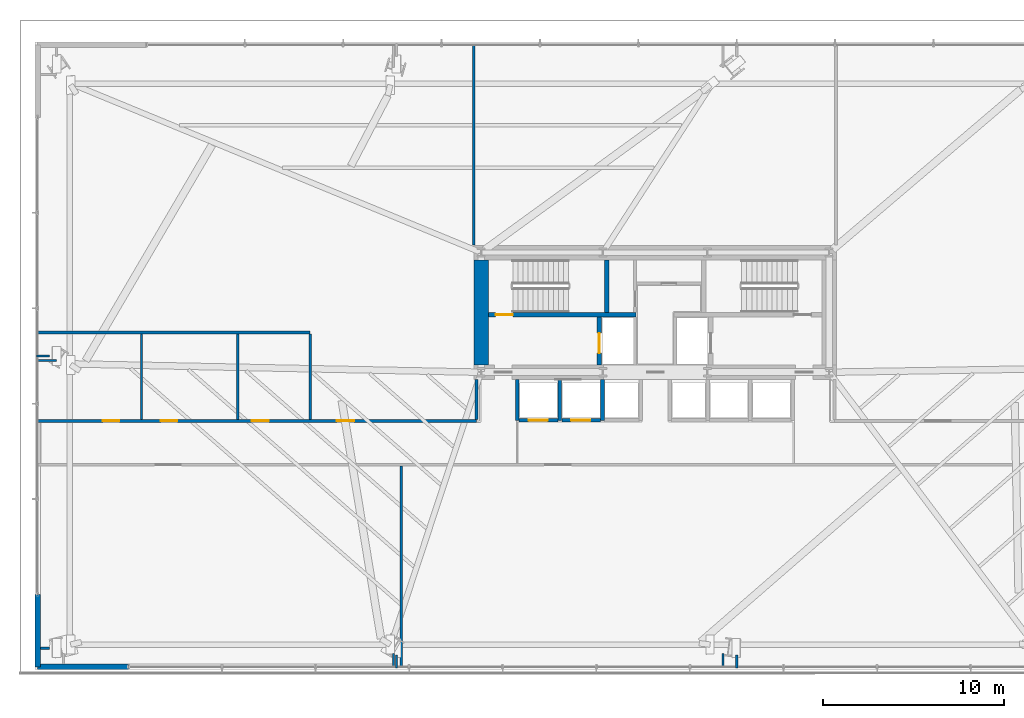
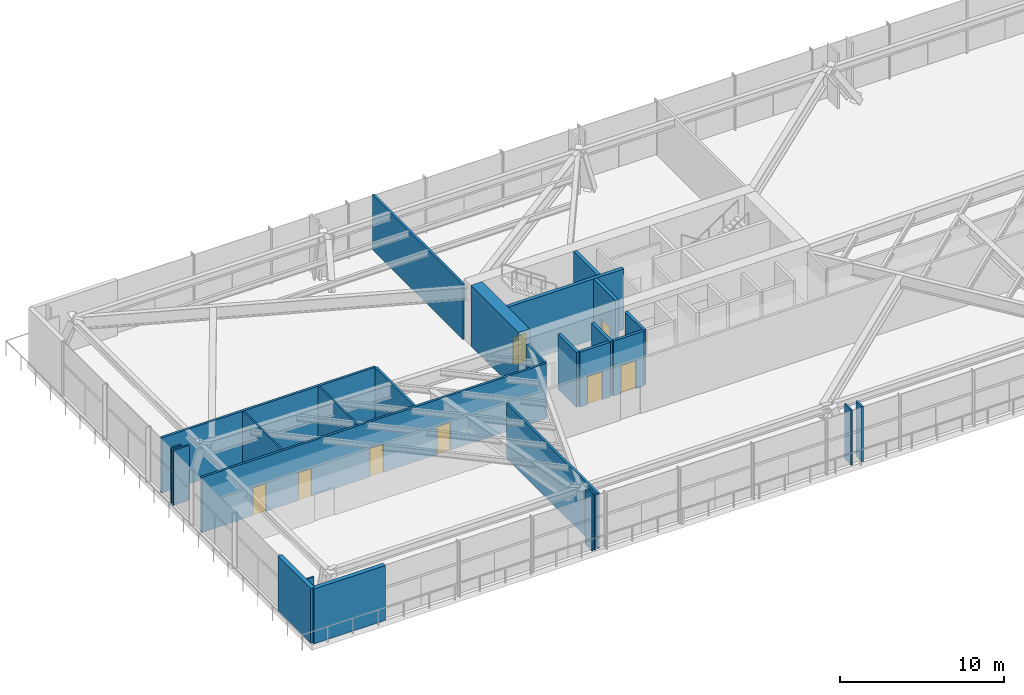
# One storey, part 25 of 36: 26 walls, 8 doors, 8 openings.
"""IFC4 building model written with IfcOpenShell, lengths in metres."""

import ifcopenshell
import ifcopenshell.guid

model = None  # the IFC model being written
_history = None  # IfcOwnerHistory: only IFC2X3 demands one
_inside = {}  # id of a spatial element -> (the spatial element, [elements in it])
_under = {}  # id of a project, library or spatial element -> (it, [spatial elements below it])
_declared = {}  # id of a project -> (the project, [libraries it declares])
_typed = {}  # id of a type object -> (the type object, [elements of that type])
_made_of = {}  # id of a material, layer set ... -> (it, [elements and type objects made of it])


def new_model(schema):
    """Start an empty IFC model of exactly this schema.

    Asked for "IFC4X3", IfcOpenShell would pick the latest addendum, in which some entities
    have other attributes; the version numbers below select the first issue.
    IFC2X3 requires an IfcOwnerHistory on every rooted entity: one is made here for all.
    """
    global model, _history
    if schema == "IFC4X3":
        model = ifcopenshell.file(schema_version=(4, 3, 0, 0))
    else:
        model = ifcopenshell.file(schema=schema)
    _inside.clear()
    _under.clear()
    _declared.clear()
    _typed.clear()
    _made_of.clear()
    _history = None
    if model.schema == "IFC2X3":
        org = make("IfcOrganization", Name="unknown")
        user = make(
            "IfcPersonAndOrganization",
            ThePerson=make("IfcPerson", FamilyName="unknown"),
            TheOrganization=org,
        )
        app = make(
            "IfcApplication",
            ApplicationDeveloper=org,
            Version="unknown",
            ApplicationFullName="unknown",
            ApplicationIdentifier="unknown",
        )
        _history = make(
            "IfcOwnerHistory",
            OwningUser=user,
            OwningApplication=app,
            ChangeAction="ADDED",
            CreationDate=0,
        )
    return model


def make(cls, **values):
    """One entity of the class cls with the attributes given. An attribute that is None is left unset."""
    return model.create_entity(
        cls, **{name: value for name, value in values.items() if value is not None}
    )


def rooted(cls, **values):
    """An entity with a GlobalId (a new one), such as an element, a storey or a relation."""
    return make(cls, GlobalId=ifcopenshell.guid.new(), OwnerHistory=_history, **values)


def si_unit(unit_type, name, prefix=None):
    """IfcSIUnit, for example si_unit("LENGTHUNIT", "METRE", prefix="MILLI")."""
    return make("IfcSIUnit", UnitType=unit_type, Prefix=prefix, Name=name)


def assignment(units):
    """IfcUnitAssignment: the units of a project."""
    return None if units is None else make("IfcUnitAssignment", Units=units)


def point(xyz):
    """IfcCartesianPoint."""
    return None if xyz is None else make("IfcCartesianPoint", Coordinates=xyz)


def direction(xyz):
    """IfcDirection."""
    return None if xyz is None else make("IfcDirection", DirectionRatios=xyz)


def frame(location, z_axis=None, x_axis=None):
    """IfcAxis2Placement3D, a coordinate frame: its origin and axes. An axis left out is left unset."""
    return make(
        "IfcAxis2Placement3D",
        Location=point(location),
        Axis=direction(z_axis),
        RefDirection=direction(x_axis),
    )


def frame_2d(location, x_axis=None):
    """IfcAxis2Placement2D, a coordinate frame in the plane: its origin and x axis."""
    return make(
        "IfcAxis2Placement2D", Location=point(location), RefDirection=direction(x_axis)
    )


def origin():
    """The frame at (0, 0, 0) with its axes left unset."""
    return frame((0.0, 0.0, 0.0))


def place(relative_to, where):
    """IfcLocalPlacement: puts the frame where relative to a parent placement (None: the world)."""
    return make(
        "IfcLocalPlacement", PlacementRelTo=relative_to, RelativePlacement=where
    )


def context(
    kind, dimensions, precision=None, world=None, true_north=None, identifier=None
):
    """IfcGeometricRepresentationContext, for example the 3D "Model" context."""
    return make(
        "IfcGeometricRepresentationContext",
        ContextIdentifier=identifier,
        ContextType=kind,
        CoordinateSpaceDimension=dimensions,
        Precision=precision,
        WorldCoordinateSystem=world,
        TrueNorth=true_north,
    )


def subcontext(parent, identifier, kind, view, scale=None):
    """IfcGeometricRepresentationSubContext, for example "Body" below "Model"."""
    return make(
        "IfcGeometricRepresentationSubContext",
        ContextIdentifier=identifier,
        ContextType=kind,
        ParentContext=parent,
        TargetScale=scale,
        TargetView=view,
    )


def project(units=None, contexts=None):
    """IfcProject with its units and contexts."""
    return rooted(
        "IfcProject",
        Name="project",
        RepresentationContexts=contexts,
        UnitsInContext=assignment(units),
    )


def spatial(cls, under=None, at=None, **own):
    """A site, building, storey or space (cls), placed at a placement, below another one or the project."""
    s = rooted(cls, ObjectPlacement=at, **own)
    if under is not None:
        _under.setdefault(under.id(), (under, []))[1].append(s)
    return s


def profile(cls, at=None, kind="AREA", **sizes):
    """A parametric profile (cls). Its sizes go by their IFC names, for example OverallWidth=200.0."""
    return make(cls, ProfileType=kind, Position=at, **sizes)


def rectangle(**sizes):
    """IfcRectangleProfileDef."""
    return profile("IfcRectangleProfileDef", **sizes)


def extrude(swept, where, along, depth):
    """IfcExtrudedAreaSolid: the profile swept, set in the frame where, extruded along a direction by depth."""
    return make(
        "IfcExtrudedAreaSolid",
        SweptArea=swept,
        Position=where,
        ExtrudedDirection=direction(along),
        Depth=depth,
    )


def shape(context_of_items, identifier, shape_type, items):
    """IfcShapeRepresentation: the items that make up one representation, for example the "Body"."""
    return make(
        "IfcShapeRepresentation",
        ContextOfItems=context_of_items,
        RepresentationIdentifier=identifier,
        RepresentationType=shape_type,
        Items=items,
    )


def source(mapping_origin, context_of_items, identifier, shape_type, items):
    """IfcRepresentationMap: a shape defined once, which mapped items show again and again."""
    return make(
        "IfcRepresentationMap",
        MappingOrigin=mapping_origin,
        MappedRepresentation=shape(context_of_items, identifier, shape_type, items),
    )


def transform(
    local_origin,
    x_axis=None,
    y_axis=None,
    z_axis=None,
    scale=None,
    scale2=None,
    scale3=None,
    uniform=True,
):
    """IfcCartesianTransformationOperator3D, or its non-uniform kind. x_axis, y_axis, z_axis: its Axis1, 2, 3."""
    if uniform:
        return make(
            "IfcCartesianTransformationOperator3D",
            Axis1=direction(x_axis),
            Axis2=direction(y_axis),
            LocalOrigin=point(local_origin),
            Scale=scale,
            Axis3=direction(z_axis),
        )
    return make(
        "IfcCartesianTransformationOperator3DnonUniform",
        Axis1=direction(x_axis),
        Axis2=direction(y_axis),
        LocalOrigin=point(local_origin),
        Scale=scale,
        Axis3=direction(z_axis),
        Scale2=scale2,
        Scale3=scale3,
    )


def mapped(mapping_source, mapping_target):
    """IfcMappedItem: shows the shape of a source again, moved by a transform."""
    return make(
        "IfcMappedItem", MappingSource=mapping_source, MappingTarget=mapping_target
    )


def material(Name=None, Category=None):
    """IfcMaterial."""
    return make("IfcMaterial", Name=Name, Category=Category)


def layer(
    of_material, thickness, ventilated=None, Name=None, Category=None, Priority=None
):
    """IfcMaterialLayer: one layer of a wall or slab, of a material (None: an air gap)."""
    return make(
        "IfcMaterialLayer",
        Material=of_material,
        LayerThickness=thickness,
        IsVentilated=ventilated,
        Name=Name,
        Category=Category,
        Priority=Priority,
    )


def layer_set(layers, Name=None):
    """IfcMaterialLayerSet."""
    return make("IfcMaterialLayerSet", MaterialLayers=layers, LayerSetName=Name)


def made_of(thing, what):
    """Note that an element or type object is made of a material, layer set ...; save() writes the relation."""
    if what is not None:
        _made_of.setdefault(what.id(), (what, []))[1].append(thing)
    return thing


def type_object(cls, material=None, **own):
    """A type object (cls), such as IfcWallType, which elements share."""
    return made_of(rooted(cls, **own), material)


def type_shapes(of_type, sources):
    """Give a type object the sources (RepresentationMaps) that its elements show as mapped items."""
    of_type.RepresentationMaps = sources


def element(
    cls,
    number,
    at=None,
    inside=None,
    cuts=None,
    type_object=None,
    material=None,
    context=None,
    identifier="Body",
    shape_type=None,
    held_by="IfcProductDefinitionShape",
    body=None,
    shapes=None,
    **own,
):
    """One element of the class cls, such as IfcWall. Its Tag is "e" and its number.

    at: its placement. inside: the storey or other place that contains it. cuts: it is an
    opening in that element (IfcRelVoidsElement). A single representation is given by context,
    identifier, shape_type and body (its items); several are given by shapes. held_by: the class
    of the entity that holds the representations. save() writes the other relations.
    """
    e = rooted(cls, Tag="e%d" % number, ObjectPlacement=at, **own)
    if body is not None:
        shapes = [shape(context, identifier, shape_type, body)]
    if shapes is not None:
        e.Representation = make(held_by, Representations=shapes)
    if inside is not None:
        _inside.setdefault(inside.id(), (inside, []))[1].append(e)
    if cuts is not None:
        rooted(
            "IfcRelVoidsElement", RelatingBuildingElement=cuts, RelatedOpeningElement=e
        )
    if type_object is not None:
        _typed.setdefault(type_object.id(), (type_object, []))[1].append(e)
    return made_of(e, material)


def fill(opening, filler):
    """IfcRelFillsElement: the door or window that sits in an opening."""
    return rooted(
        "IfcRelFillsElement",
        RelatingOpeningElement=opening,
        RelatedBuildingElement=filler,
    )


def aggregate(whole, parts):
    """IfcRelAggregates: a whole, such as a stair, and the parts it consists of."""
    return rooted("IfcRelAggregates", RelatingObject=whole, RelatedObjects=parts)


def save(model, path):
    """Write the relations noted so far, then the file.

    IfcRelAggregates (storeys below a building ...), IfcRelContainedInSpatialStructure (elements
    in a storey), IfcRelDefinesByType, IfcRelAssociatesMaterial and IfcRelDeclares: one each for
    every whole, place, type object, material and project.
    """
    for whole, parts in _under.values():
        aggregate(whole, parts)
    for where, things in _inside.values():
        rooted(
            "IfcRelContainedInSpatialStructure",
            RelatedElements=things,
            RelatingStructure=where,
        )
    for kind, things in _typed.values():
        rooted("IfcRelDefinesByType", RelatedObjects=things, RelatingType=kind)
    for what, things in _made_of.values():
        rooted("IfcRelAssociatesMaterial", RelatedObjects=things, RelatingMaterial=what)
    for by, libraries in _declared.values():
        rooted("IfcRelDeclares", RelatingContext=by, RelatedDefinitions=libraries)
    model.write(path)


model = new_model("IFC4")

# Units and contexts
model_context = context("Model", 3, precision=1e-05, world=origin(), true_north=direction((0.0, 1.0)))
body_context = subcontext(model_context, "Body", "Model", "MODEL_VIEW")
ifc_project = project(units=[si_unit("LENGTHUNIT", "METRE"), si_unit("AREAUNIT", "SQUARE_METRE"), si_unit("VOLUMEUNIT", "CUBIC_METRE"), si_unit("PLANEANGLEUNIT", "RADIAN"), si_unit("MASSUNIT", "GRAM", prefix="KILO")], contexts=[model_context])

# Site, building, storey
site_placement = place(None, origin())
site = spatial("IfcSite", under=ifc_project, at=site_placement, CompositionType="ELEMENT")
building_placement = place(site_placement, origin())
building = spatial("IfcBuilding", under=site, at=building_placement, Name="Astriad Promenade Condominiums", CompositionType="ELEMENT")
storey_placement = place(building_placement, frame((0.0, 0.0, 5.0)))
storey = spatial("IfcBuildingStorey", under=building, at=storey_placement, Name="L01", CompositionType="ELEMENT", Elevation=5.0)

# Wall
ifc_material_1 = material(Name="Concrete C80/95", Category="concrete")
ifc_layer_1 = layer(ifc_material_1, 0.800048828125)
ifc_layer_set_1 = layer_set([ifc_layer_1], Name="Concrete C80/95")
wall_type_1 = type_object("IfcWallType", Name="CW-SHEAR-800", PredefinedType="SHEAR", material=ifc_layer_set_1)
wall_1_placement = place(storey_placement, frame((26.39990234375, 17.802001953125, 0.0), z_axis=(0.0, 0.0, 1.0), x_axis=(0.0, 1.0, 0.0)))
element("IfcWall", 1, at=wall_1_placement, inside=storey, type_object=wall_type_1, Name="CW-CORE-W-L01", PredefinedType="SHEAR", context=body_context, shape_type="SweptSolid", body=[
    extrude(rectangle(XDim=5.7958984375, YDim=0.800048828125, at=frame_2d((2.89794921875, 0.0))), origin(), (0.0, 0.0, 1.0), 4.5),
])

# Wall, opening, door
ifc_material_2 = material(Name="Concrete C50/60", Category="concrete")
ifc_layer_2 = layer(ifc_material_2, 0.25)
ifc_layer_set_2 = layer_set([ifc_layer_2], Name="Concrete C50/60")
wall_type_2 = type_object("IfcWallType", Name="WALL-CORE-INT-250", PredefinedType="SOLIDWALL", material=ifc_layer_set_2)
wall_2_placement = place(storey_placement, frame((26.802001953125, 20.574951171875, 0.0), z_axis=(0.0, 0.0, 1.0), x_axis=(1.0, 0.0, 0.0)))
wall_2 = element("IfcWall", 2, at=wall_2_placement, inside=storey, type_object=wall_type_2, Name="CW-INT-H1-L01", PredefinedType="SOLIDWALL", context=body_context, shape_type="SweptSolid", body=[
    extrude(rectangle(XDim=8.14794921875, YDim=0.25, at=frame_2d((4.073974609375, 0.0))), origin(), (0.0, 0.0, 1.0), 4.5),
])
opening_1_placement = place(wall_2_placement, frame((0.39794921875, 0.0, 0.0)))
opening_1 = element("IfcOpeningElement", 3, at=opening_1_placement, cuts=wall_2, Name="Opening FD90-ST-095", PredefinedType="OPENING", context=body_context, shape_type="SweptSolid", body=[
    extrude(rectangle(XDim=0.949951171875, YDim=2.06005859375, at=frame_2d((0.47509765625, 1.030029296875))), frame((0.0, 0.135009765625, 0.0), z_axis=(0.0, -1.0, 0.0), x_axis=(1.0, 0.0, 0.0)), (0.0, 0.0, 1.0), 0.27001953125),
])
ifc_material_3 = material(Name="Fire-Rated Hollow Metal Stair Door")
door_type_1 = type_object("IfcDoorType", Name="FD90-ST-095", OperationType="NOTDEFINED", PredefinedType="DOOR", material=ifc_material_3)
shared_shape_1 = source(origin(), body_context, "Body", "SweptSolid", [
    extrude(rectangle(XDim=0.949951171875, YDim=2.06005859375, at=frame_2d((0.47509765625, 1.030029296875))), frame((0.0, 0.02490234375, 0.0), z_axis=(0.0, -1.0, 0.0), x_axis=(1.0, 0.0, 0.0)), (0.0, 0.0, 1.0), 0.050048828125),
])
type_shapes(door_type_1, [shared_shape_1])
door_1_placement = place(opening_1_placement, origin())
door_1 = element("IfcDoor", 4, at=door_1_placement, inside=storey, type_object=door_type_1, Name="D-ST1-L01", OperationType="SINGLE_SWING_LEFT", OverallHeight=2.06005859375, OverallWidth=0.949951171875, PredefinedType="DOOR", context=body_context, shape_type="MappedRepresentation", body=[
    mapped(shared_shape_1, transform((0.0, 0.0, 0.0), scale=1.0)),
])
fill(opening_1, door_1)

# Wall
wall_3_placement = place(storey_placement, frame((33.324951171875, 20.701904296875, 0.0), z_axis=(0.0, 0.0, 1.0), x_axis=(0.0, 1.0, 0.0)))
element("IfcWall", 5, at=wall_3_placement, inside=storey, type_object=wall_type_2, Name="CW-ST1-E-L01", PredefinedType="SOLIDWALL", context=body_context, shape_type="SweptSolid", body=[
    extrude(rectangle(XDim=2.89599609375, YDim=0.25, at=frame_2d((1.447998046875, 0.0))), origin(), (0.0, 0.0, 1.0), 4.5),
])

# Wall, opening, door
wall_4_placement = place(storey_placement, frame((32.925048828125, 17.802001953125, 0.0), z_axis=(0.0, 0.0, 1.0), x_axis=(0.0, 1.0, 0.0)))
wall_4 = element("IfcWall", 6, at=wall_4_placement, inside=storey, type_object=wall_type_2, Name="CW-FFL1-W-L01", PredefinedType="SOLIDWALL", context=body_context, shape_type="SweptSolid", body=[
    extrude(rectangle(XDim=2.64599609375, YDim=0.25, at=frame_2d((1.322998046875, 0.0))), origin(), (0.0, 0.0, 1.0), 4.5),
])
opening_2_placement = place(wall_4_placement, frame((0.64794921875, 0.0, 0.0)))
opening_2 = element("IfcOpeningElement", 7, at=opening_2_placement, cuts=wall_4, Name="Opening LD-FFL-1122", PredefinedType="OPENING", context=body_context, shape_type="SweptSolid", body=[
    extrude(rectangle(XDim=1.10009765625, YDim=2.080078125, at=frame_2d((0.550048828125, 1.0400390625))), frame((0.0, 0.135009765625, 0.0), z_axis=(0.0, -1.0, 0.0), x_axis=(1.0, 0.0, 0.0)), (0.0, 0.0, 1.0), 0.27001953125),
])
ifc_material_4 = material(Name="Brushed Stainless Steel Fire Elevator Landing Door", Category="steel")
door_type_2 = type_object("IfcDoorType", Name="LD-FFL-1122", OperationType="NOTDEFINED", PredefinedType="DOOR", material=ifc_material_4)
shared_shape_2 = source(origin(), body_context, "Body", "SweptSolid", [
    extrude(rectangle(XDim=1.10009765625, YDim=2.080078125, at=frame_2d((0.550048828125, 1.0400390625))), frame((0.0, 0.02490234375, 0.0), z_axis=(0.0, -1.0, 0.0), x_axis=(1.0, 0.0, 0.0)), (0.0, 0.0, 1.0), 0.050048828125),
])
type_shapes(door_type_2, [shared_shape_2])
door_2_placement = place(opening_2_placement, origin())
door_2 = element("IfcDoor", 8, at=door_2_placement, inside=storey, type_object=door_type_2, Name="Elevator Landing Door FFL-1 (L01)", OperationType="SLIDING_TO_LEFT", OverallHeight=2.080078125, OverallWidth=1.10009765625, PredefinedType="DOOR", context=body_context, shape_type="MappedRepresentation", body=[
    mapped(shared_shape_2, transform((0.0, 0.0, 0.0), scale=1.0)),
])
fill(opening_2, door_2)

# Wall, openings, doors
ifc_material_5 = material(Name="Fire-Rated Gypsum Partition")
ifc_layer_3 = layer(ifc_material_5, 0.159912109375)
ifc_layer_set_3 = layer_set([ifc_layer_3], Name="Fire-Rated Gypsum Partition")
wall_type_3 = type_object("IfcWallType", Name="WALL-CORR-160", PredefinedType="PARTITIONING", material=ifc_layer_set_3)
wall_5_placement = place(storey_placement, frame((1.949951171875, 14.719970703125, 0.0), z_axis=(0.0, 0.0, 1.0), x_axis=(1.0, 0.0, 0.0)))
wall_5 = element("IfcWall", 9, at=wall_5_placement, inside=storey, type_object=wall_type_3, Name="PT-L01-CNW", PredefinedType="PARTITIONING", context=body_context, shape_type="SweptSolid", body=[
    extrude(rectangle(XDim=24.199951171875, YDim=0.159912109375, at=frame_2d((12.10009765625, 0.0))), origin(), (0.0, 0.0, 1.0), 4.080078125),
])
opening_3_placement = place(wall_5_placement, frame((16.5, 0.0, 0.0)))
opening_3 = element("IfcOpeningElement", 10, at=opening_3_placement, cuts=wall_5, Name="Opening FD60-APT-095", PredefinedType="OPENING", context=body_context, shape_type="SweptSolid", body=[
    extrude(rectangle(XDim=0.949951171875, YDim=2.06005859375, at=frame_2d((0.47509765625, 1.030029296875))), frame((0.0, 0.08984375, 0.0), z_axis=(0.0, -1.0, 0.0), x_axis=(1.0, 0.0, 0.0)), (0.0, 0.0, 1.0), 0.179931640625),
])
opening_4_placement = place(wall_5_placement, frame((3.60009765625, 0.0, 0.0)))
opening_4 = element("IfcOpeningElement", 11, at=opening_4_placement, cuts=wall_5, Name="Opening D-INT-090", PredefinedType="OPENING", context=body_context, shape_type="SweptSolid", body=[
    extrude(rectangle(XDim=0.89990234375, YDim=2.050048828125, at=frame_2d((0.449951171875, 1.02490234375))), frame((0.0, 0.08984375, 0.0), z_axis=(0.0, -1.0, 0.0), x_axis=(1.0, 0.0, 0.0)), (0.0, 0.0, 1.0), 0.179931640625),
])
opening_5_placement = place(wall_5_placement, frame((6.800048828125, 0.0, 0.0)))
opening_5 = element("IfcOpeningElement", 12, at=opening_5_placement, cuts=wall_5, Name="Opening D-INT-090", PredefinedType="OPENING", context=body_context, shape_type="SweptSolid", body=[
    extrude(rectangle(XDim=0.89990234375, YDim=2.050048828125, at=frame_2d((0.449951171875, 1.02490234375))), frame((0.0, 0.08984375, 0.0), z_axis=(0.0, -1.0, 0.0), x_axis=(1.0, 0.0, 0.0)), (0.0, 0.0, 1.0), 0.179931640625),
])
opening_6_placement = place(wall_5_placement, frame((11.800048828125, 0.0, 0.0)))
opening_6 = element("IfcOpeningElement", 13, at=opening_6_placement, cuts=wall_5, Name="Opening D-WET-095", PredefinedType="OPENING", context=body_context, shape_type="SweptSolid", body=[
    extrude(rectangle(XDim=0.949951171875, YDim=2.10009765625, at=frame_2d((0.47509765625, 1.050048828125))), frame((0.0, 0.08984375, 0.0), z_axis=(0.0, -1.0, 0.0), x_axis=(1.0, 0.0, 0.0)), (0.0, 0.0, 1.0), 0.179931640625),
])
ifc_material_6 = material(Name="Accessible Restroom Timber Door", Category="wood")
door_type_3 = type_object("IfcDoorType", Name="D-WET-095", OperationType="NOTDEFINED", PredefinedType="DOOR", material=ifc_material_6)
shared_shape_3 = source(origin(), body_context, "Body", "SweptSolid", [
    extrude(rectangle(XDim=0.949951171875, YDim=2.10009765625, at=frame_2d((0.47509765625, 1.050048828125))), frame((0.0, 0.02490234375, 0.0), z_axis=(0.0, -1.0, 0.0), x_axis=(1.0, 0.0, 0.0)), (0.0, 0.0, 1.0), 0.050048828125),
])
type_shapes(door_type_3, [shared_shape_3])
door_3_placement = place(opening_6_placement, origin())
door_3 = element("IfcDoor", 14, at=door_3_placement, inside=storey, type_object=door_type_3, Name="D-L01-WCA", OperationType="SINGLE_SWING_RIGHT", OverallHeight=2.10009765625, OverallWidth=0.949951171875, PredefinedType="DOOR", context=body_context, shape_type="MappedRepresentation", body=[
    mapped(shared_shape_3, transform((0.0, 0.0, 0.0), scale=1.0)),
])
fill(opening_6, door_3)
ifc_material_7 = material(Name="Solid-Core Acoustic Timber Residence Entry Door", Category="wood")
door_type_4 = type_object("IfcDoorType", Name="FD60-APT-095", OperationType="NOTDEFINED", PredefinedType="DOOR", material=ifc_material_7)
shared_shape_4 = source(origin(), body_context, "Body", "SweptSolid", [
    extrude(rectangle(XDim=0.949951171875, YDim=2.06005859375, at=frame_2d((0.47509765625, 1.030029296875))), frame((0.0, 0.02490234375, 0.0), z_axis=(0.0, -1.0, 0.0), x_axis=(1.0, 0.0, 0.0)), (0.0, 0.0, 1.0), 0.050048828125),
])
type_shapes(door_type_4, [shared_shape_4])
door_4_placement = place(opening_3_placement, origin())
door_4 = element("IfcDoor", 15, at=door_4_placement, inside=storey, type_object=door_type_4, Name="D-L01-R4", OperationType="SINGLE_SWING_LEFT", OverallHeight=2.06005859375, OverallWidth=0.949951171875, PredefinedType="DOOR", context=body_context, shape_type="MappedRepresentation", body=[
    mapped(shared_shape_4, transform((0.0, 0.0, 0.0), scale=1.0)),
])
fill(opening_3, door_4)
ifc_material_8 = material(Name="Painted Solid-Core Timber Bedroom Door", Category="wood")
door_type_5 = type_object("IfcDoorType", Name="D-INT-090", OperationType="NOTDEFINED", PredefinedType="DOOR", material=ifc_material_8)
shared_shape_5 = source(origin(), body_context, "Body", "SweptSolid", [
    extrude(rectangle(XDim=0.89990234375, YDim=2.050048828125, at=frame_2d((0.449951171875, 1.02490234375))), frame((0.0, 0.02490234375, 0.0), z_axis=(0.0, -1.0, 0.0), x_axis=(1.0, 0.0, 0.0)), (0.0, 0.0, 1.0), 0.050048828125),
])
type_shapes(door_type_5, [shared_shape_5])
door_5_placement = place(opening_4_placement, origin())
door_5 = element("IfcDoor", 16, at=door_5_placement, inside=storey, type_object=door_type_5, Name="D-L01-WCM", OperationType="SINGLE_SWING_RIGHT", OverallHeight=2.050048828125, OverallWidth=0.89990234375, PredefinedType="DOOR", context=body_context, shape_type="MappedRepresentation", body=[
    mapped(shared_shape_5, transform((0.0, 0.0, 0.0), scale=1.0)),
])
fill(opening_4, door_5)
door_6_placement = place(opening_5_placement, origin())
door_6 = element("IfcDoor", 17, at=door_6_placement, inside=storey, type_object=door_type_5, Name="D-L01-WCF", OperationType="SINGLE_SWING_LEFT", OverallHeight=2.050048828125, OverallWidth=0.89990234375, PredefinedType="DOOR", context=body_context, shape_type="MappedRepresentation", body=[
    mapped(shared_shape_5, transform((0.0, 0.0, 0.0), scale=1.0)),
])
fill(opening_5, door_6)

# Walls
wall_6_placement = place(storey_placement, frame((22.0, 1.14990234375, 0.0), z_axis=(0.0, 0.0, 1.0), x_axis=(0.0, 1.0, 0.0)))
element("IfcWall", 18, at=wall_6_placement, inside=storey, type_object=wall_type_3, Name="PT-L01-SV", PredefinedType="PARTITIONING", context=body_context, shape_type="SweptSolid", body=[
    extrude(rectangle(XDim=11.068115234375, YDim=0.159912109375, at=frame_2d((5.5341796875, 0.0))), origin(), (0.0, 0.0, 1.0), 4.080078125),
])
wall_7_placement = place(storey_placement, frame((1.949951171875, 19.580078125, 0.0), z_axis=(0.0, 0.0, 1.0), x_axis=(1.0, 0.0, 0.0)))
element("IfcWall", 19, at=wall_7_placement, inside=storey, type_object=wall_type_3, Name="PT-L01-WCN", PredefinedType="PARTITIONING", context=body_context, shape_type="SweptSolid", body=[
    extrude(rectangle(XDim=15.030029296875, YDim=0.159912109375, at=frame_2d((7.51513671875, 0.0))), origin(), (0.0, 0.0, 1.0), 4.080078125),
])
wall_8_placement = place(storey_placement, frame((16.97998046875, 14.802001953125, 0.0), z_axis=(0.0, 0.0, 1.0), x_axis=(0.0, 1.0, 0.0)))
element("IfcWall", 20, at=wall_8_placement, inside=storey, type_object=wall_type_3, Name="PT-L01-WC3", PredefinedType="PARTITIONING", context=body_context, shape_type="SweptSolid", body=[
    extrude(rectangle(XDim=4.696044921875, YDim=0.159912109375, at=frame_2d((2.34814453125, 0.0))), origin(), (0.0, 0.0, 1.0), 4.080078125),
])
wall_9_placement = place(storey_placement, frame((26.0, 24.419921875, 0.0), z_axis=(0.0, 0.0, 1.0), x_axis=(0.0, 1.0, 0.0)))
element("IfcWall", 21, at=wall_9_placement, inside=storey, type_object=wall_type_3, Name="PT-L01-WSW", PredefinedType="PARTITIONING", context=body_context, shape_type="SweptSolid", body=[
    extrude(rectangle(XDim=11.030029296875, YDim=0.159912109375, at=frame_2d((5.51513671875, 0.0))), origin(), (0.0, 0.0, 1.0), 4.080078125),
])
wall_10_placement = place(storey_placement, frame((26.14990234375, 14.802001953125, 0.0), z_axis=(0.0, 0.0, 1.0), x_axis=(0.0, 1.0, 0.0)))
element("IfcWall", 22, at=wall_10_placement, inside=storey, type_object=wall_type_3, Name="PT-L01-CWSP", PredefinedType="PARTITIONING", context=body_context, shape_type="SweptSolid", body=[
    extrude(rectangle(XDim=2.196044921875, YDim=0.159912109375, at=frame_2d((1.09814453125, 0.0))), origin(), (0.0, 0.0, 1.0), 4.080078125),
])
ifc_material_9 = material(Name="Precast concrete C50/60", Category="concrete")
ifc_layer_4 = layer(ifc_material_9, 0.300048828125)
ifc_layer_set_4 = layer_set([ifc_layer_4], Name="Precast concrete C50/60")
wall_type_4 = type_object("IfcWallType", Name="WALL-EXT-POD-300", PredefinedType="STANDARD", material=ifc_layer_set_4)
wall_11_placement = place(storey_placement, frame((1.949951171875, 1.14990234375, 0.0), z_axis=(0.0, 0.0, 1.0), x_axis=(0.0, 1.0, 0.0)))
element("IfcWall", 23, at=wall_11_placement, inside=storey, type_object=wall_type_4, Name="W-EXT-L01-W1", PredefinedType="STANDARD", context=body_context, shape_type="SweptSolid", body=[
    extrude(rectangle(XDim=4.0, YDim=0.300048828125, at=frame_2d((2.0, 0.0))), origin(), (0.0, 0.0, 1.0), 4.080078125),
])
wall_12_placement = place(storey_placement, frame((6.949951171875, 1.14990234375, 0.0), z_axis=(0.0, 0.0, 1.0), x_axis=(-1.0, 0.0, 0.0)))
element("IfcWall", 24, at=wall_12_placement, inside=storey, type_object=wall_type_4, Name="W-EXT-L01-S2", PredefinedType="STANDARD", context=body_context, shape_type="SweptSolid", body=[
    extrude(rectangle(XDim=5.0, YDim=0.300048828125, at=frame_2d((2.5, 0.0))), origin(), (0.0, 0.0, 1.0), 4.080078125),
])
ifc_material_10 = material(Name="Acoustic Metal-Stud Gypsum Partition")
ifc_layer_5 = layer(ifc_material_10, 0.1201171875)
ifc_layer_set_5 = layer_set([ifc_layer_5], Name="Acoustic Metal-Stud Gypsum Partition")
wall_type_5 = type_object("IfcWallType", Name="WALL-PART-120", PredefinedType="PARTITIONING", material=ifc_layer_set_5)
for number, where, z_axis, x_axis, name in (
    (25, (7.679931640625, 14.802001953125, 0.0), (0.0, 0.0, 1.0), (0.0, 1.0, 0.0), "PT-L01-WC1"),
    (26, (12.97998046875, 14.802001953125, 0.0), (0.0, 0.0, 1.0), (0.0, 1.0, 0.0), "PT-L01-WC2"),
):
    element("IfcWall", number, at=place(storey_placement, frame(where, z_axis=z_axis, x_axis=x_axis)), inside=storey, type_object=wall_type_5, Name=name, PredefinedType="PARTITIONING", context=body_context, shape_type="SweptSolid", body=[
        extrude(rectangle(XDim=4.696044921875, YDim=0.1201171875, at=frame_2d((2.34814453125, 0.0))), origin(), (0.0, 0.0, 1.0), 4.080078125),
    ])
for number, where, z_axis, x_axis, name in (
    (27, (21.56494140625, 1.89990234375, 0.0), (0.0, 0.0, 1.0), (0.0, -1.0, 0.0), "PT-PIL-L01-PC02-9"),
    (28, (39.75, 1.89990234375, 0.0), (0.0, 0.0, 1.0), (0.0, -1.0, 0.0), "PT-PIL-L01-PC03-10"),
):
    element("IfcWall", number, at=place(storey_placement, frame(where, z_axis=z_axis, x_axis=x_axis)), inside=storey, type_object=wall_type_5, Name=name, PredefinedType="PARTITIONING", context=body_context, shape_type="SweptSolid", body=[
        extrude(rectangle(XDim=0.81982421875, YDim=0.1201171875, at=frame_2d((0.409912109375, 0.0))), origin(), (0.0, 0.0, 1.0), 4.080078125),
    ])
wall_13_placement = place(storey_placement, frame((3.0, 18.050048828125, 0.0), z_axis=(0.0, 0.0, 1.0), x_axis=(-1.0, 0.0, 0.0)))
element("IfcWall", 29, at=wall_13_placement, inside=storey, type_object=wall_type_5, Name="PT-PIL-L01-PC11-18", PredefinedType="PARTITIONING", context=body_context, shape_type="SweptSolid", body=[
    extrude(rectangle(XDim=1.1201171875, YDim=0.1201171875, at=frame_2d((0.56005859375, 0.0))), origin(), (0.0, 0.0, 1.0), 4.080078125),
])
wall_14_placement = place(storey_placement, frame((2.60009765625, 2.179931640625, 0.0), z_axis=(0.0, 0.0, 1.0), x_axis=(-1.0, 0.0, 0.0)))
element("IfcWall", 30, at=wall_14_placement, inside=storey, type_object=wall_type_5, Name="PT-PIL-L01-PC01-20", PredefinedType="PARTITIONING", context=body_context, shape_type="SweptSolid", body=[
    extrude(rectangle(XDim=0.498046875, YDim=0.1201171875, at=frame_2d((0.2490234375, 0.0))), origin(), (0.0, 0.0, 1.0), 4.080078125),
])
for number, where, z_axis, x_axis, name in (
    (31, (21.739990234375, 1.800048828125, 0.0), (0.0, 0.0, 1.0), (0.0, -1.0, 0.0), "PT-PIL-L01-PC02-21"),
    (32, (40.5, 1.800048828125, 0.0), (0.0, 0.0, 1.0), (0.0, -1.0, 0.0), "PT-PIL-L01-PC03-22"),
):
    element("IfcWall", number, at=place(storey_placement, frame(where, z_axis=z_axis, x_axis=x_axis)), inside=storey, type_object=wall_type_5, Name=name, PredefinedType="PARTITIONING", context=body_context, shape_type="SweptSolid", body=[
        extrude(rectangle(XDim=0.719970703125, YDim=0.1201171875, at=frame_2d((0.35986328125, 0.0))), origin(), (0.0, 0.0, 1.0), 4.080078125),
    ])
wall_15_placement = place(storey_placement, frame((2.60009765625, 18.300048828125, 0.0), z_axis=(0.0, 0.0, 1.0), x_axis=(-1.0, 0.0, 0.0)))
element("IfcWall", 33, at=wall_15_placement, inside=storey, type_object=wall_type_5, Name="PT-PIL-L01-PC11-30", PredefinedType="PARTITIONING", context=body_context, shape_type="SweptSolid", body=[
    extrude(rectangle(XDim=0.72021484375, YDim=0.1201171875, at=frame_2d((0.360107421875, 0.0))), origin(), (0.0, 0.0, 1.0), 4.080078125),
])
ifc_material_11 = material(Name="Gypsum Shaftliner Assembly")
ifc_layer_6 = layer(ifc_material_11, 0.199951171875)
ifc_layer_set_6 = layer_set([ifc_layer_6], Name="Gypsum Shaftliner Assembly")
wall_type_6 = type_object("IfcWallType", Name="WALL-SHAFT-200", PredefinedType="PARTITIONING", material=ifc_layer_set_6)
for number, where, z_axis, x_axis, name in (
    (34, (28.39990234375, 14.75, 0.0), (0.0, 0.0, 1.0), (0.0, 1.0, 0.0), "PL-W-OUT-L01"),
    (35, (30.75, 14.75, 0.0), (0.0, 0.0, 1.0), (0.0, 1.0, 0.0), "PL-L-DIV-L01"),
    (36, (33.10009765625, 14.75, 0.0), (0.0, 0.0, 1.0), (0.0, 1.0, 0.0), "PL-LM-DIV-L01"),
):
    element("IfcWall", number, at=place(storey_placement, frame(where, z_axis=z_axis, x_axis=x_axis)), inside=storey, type_object=wall_type_6, Name=name, PredefinedType="PARTITIONING", context=body_context, shape_type="SweptSolid", body=[
        extrude(rectangle(XDim=2.248046875, YDim=0.199951171875, at=frame_2d((1.1240234375, 0.0))), origin(), (0.0, 0.0, 1.0), 4.080078125),
    ])

# Wall, opening, door
wall_16_placement = place(storey_placement, frame((28.501953125, 14.75, 0.0), z_axis=(0.0, 0.0, 1.0), x_axis=(1.0, 0.0, 0.0)))
wall_16 = element("IfcWall", 37, at=wall_16_placement, inside=storey, type_object=wall_type_6, Name="PL-L-FRT-L01", PredefinedType="PARTITIONING", context=body_context, shape_type="SweptSolid", body=[
    extrude(rectangle(XDim=2.14599609375, YDim=0.199951171875, at=frame_2d((1.072998046875, 0.0))), origin(), (0.0, 0.0, 1.0), 4.080078125),
])
opening_7_placement = place(wall_16_placement, frame((0.52294921875, 0.0, 0.0)))
opening_7 = element("IfcOpeningElement", 38, at=opening_7_placement, cuts=wall_16, Name="Opening LD-PL-10522", PredefinedType="OPENING", context=body_context, shape_type="SweptSolid", body=[
    extrude(rectangle(XDim=1.050048828125, YDim=2.080078125, at=frame_2d((0.52490234375, 1.0400390625))), frame((0.0, 0.10986328125, 0.0), z_axis=(0.0, -1.0, 0.0), x_axis=(1.0, 0.0, 0.0)), (0.0, 0.0, 1.0), 0.219970703125),
])
ifc_material_12 = material(Name="Brushed Bronze Passenger Elevator Landing Door")
door_type_6 = type_object("IfcDoorType", Name="LD-PL-10522", OperationType="NOTDEFINED", PredefinedType="DOOR", material=ifc_material_12)
shared_shape_6 = source(origin(), body_context, "Body", "SweptSolid", [
    extrude(rectangle(XDim=1.050048828125, YDim=2.080078125, at=frame_2d((0.52490234375, 1.0400390625))), frame((0.0, 0.02490234375, 0.0), z_axis=(0.0, -1.0, 0.0), x_axis=(1.0, 0.0, 0.0)), (0.0, 0.0, 1.0), 0.050048828125),
])
type_shapes(door_type_6, [shared_shape_6])
door_7_placement = place(opening_7_placement, origin())
door_7 = element("IfcDoor", 39, at=door_7_placement, inside=storey, type_object=door_type_6, Name="Elevator Landing Door PL-L1 (L01)", OperationType="SLIDING_TO_LEFT", OverallHeight=2.080078125, OverallWidth=1.050048828125, PredefinedType="DOOR", context=body_context, shape_type="MappedRepresentation", body=[
    mapped(shared_shape_6, transform((0.0, 0.0, 0.0), scale=1.0)),
])
fill(opening_7, door_7)

wall_17_placement = place(storey_placement, frame((30.85205078125, 14.75, 0.0), z_axis=(0.0, 0.0, 1.0), x_axis=(1.0, 0.0, 0.0)))
wall_17 = element("IfcWall", 40, at=wall_17_placement, inside=storey, type_object=wall_type_6, Name="PL-L-FRT-L01-S2", PredefinedType="PARTITIONING", context=body_context, shape_type="SweptSolid", body=[
    extrude(rectangle(XDim=2.14599609375, YDim=0.199951171875, at=frame_2d((1.072998046875, 0.0))), origin(), (0.0, 0.0, 1.0), 4.080078125),
])
opening_8_placement = place(wall_17_placement, frame((0.52294921875, 0.0, 0.0)))
opening_8 = element("IfcOpeningElement", 41, at=opening_8_placement, cuts=wall_17, Name="Opening LD-PL-10522", PredefinedType="OPENING", context=body_context, shape_type="SweptSolid", body=[
    extrude(rectangle(XDim=1.050048828125, YDim=2.080078125, at=frame_2d((0.52490234375, 1.0400390625))), frame((0.0, 0.10986328125, 0.0), z_axis=(0.0, -1.0, 0.0), x_axis=(1.0, 0.0, 0.0)), (0.0, 0.0, 1.0), 0.219970703125),
])
door_8_placement = place(opening_8_placement, origin())
door_8 = element("IfcDoor", 42, at=door_8_placement, inside=storey, type_object=door_type_6, Name="Elevator Landing Door PL-L2 (L01)", OperationType="SLIDING_TO_RIGHT", OverallHeight=2.080078125, OverallWidth=1.050048828125, PredefinedType="DOOR", context=body_context, shape_type="MappedRepresentation", body=[
    mapped(shared_shape_6, transform((0.0, 0.0, 0.0), scale=1.0)),
])
fill(opening_8, door_8)

save(model, "model.ifc")
